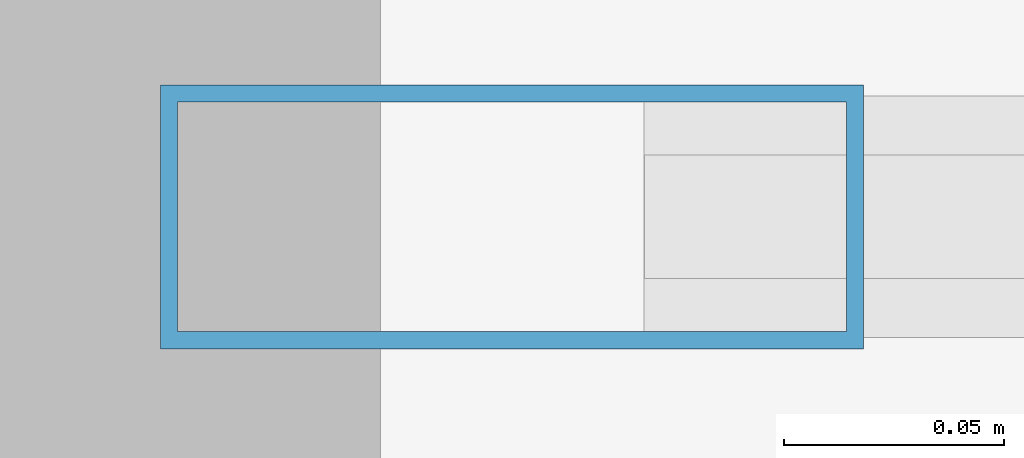
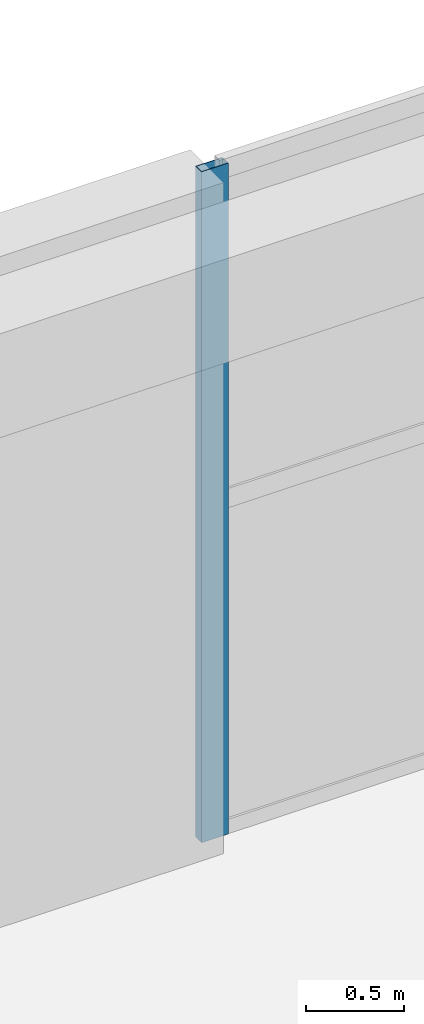
# One storey, part 17 of 33: 1 member, 1 element without a shape of its own.
"""IFC4 building model written with IfcOpenShell, lengths in metres."""

from ifc_helpers import new_model, si_unit, direction, frame, origin, origin_2d, place, context, subcontext, project, spatial, hollow_rectangle, extrude, source, transform, mapped, material, layer, layer_set, material_profile, profile_set, type_object, element, aggregate, save


model = new_model("IFC4")

# Units and contexts
model_context = context("Model", 3, precision=1e-05, world=origin(), true_north=direction((0.0, 1.0)))
body_context = subcontext(model_context, "Body", "Model", "MODEL_VIEW")
ifc_project = project(units=[si_unit("LENGTHUNIT", "METRE"), si_unit("AREAUNIT", "SQUARE_METRE"), si_unit("VOLUMEUNIT", "CUBIC_METRE"), si_unit("PLANEANGLEUNIT", "RADIAN"), si_unit("MASSUNIT", "GRAM", prefix="KILO")], contexts=[model_context])

# Site, building, storey
site_placement = place(None, origin())
site = spatial("IfcSite", under=ifc_project, at=site_placement, CompositionType="ELEMENT")
building_placement = place(site_placement, origin())
building = spatial("IfcBuilding", under=site, at=building_placement, Name="Khoralis Quay Care Tower", CompositionType="ELEMENT")
storey_placement = place(building_placement, frame((0.0, 0.0, 18.0)))
storey = spatial("IfcBuildingStorey", under=building, at=storey_placement, Name="L04", CompositionType="ELEMENT", Elevation=18.0)

# Curtain wall, member
ifc_material = material(Name="Pale anodised aluminium", Category="aluminium")
ifc_layer = layer(ifc_material, 0.14990234375)
ifc_layer_set = layer_set([ifc_layer], Name="Pale anodised aluminium")
curtain_wall_type = type_object("IfcCurtainWallType", Name="CW-SYS-SCHOOL", PredefinedType="NOTDEFINED", material=ifc_layer_set)
curtain_wall_placement = place(storey_placement, origin())
curtain_wall = element("IfcCurtainWall", 1, at=curtain_wall_placement, inside=storey, type_object=curtain_wall_type, Name="L04 Unitised Curtain Wall CW-SCH-L04-E3", PredefinedType="NOTDEFINED")
ifc_material_profile = material_profile(ifc_material, hollow_rectangle(XDim=0.06005859375, YDim=0.159912109375, WallThickness=0.00390625, at=origin_2d()), Name="Pale anodised aluminium")
ifc_profile_set = profile_set([ifc_material_profile], Name="Pale anodised aluminium")
member_type = type_object("IfcMemberType", Name="CW-MUL-160", PredefinedType="MULLION", material=ifc_profile_set)
shared_shape = source(origin(), body_context, "Body", "SweptSolid", [
    extrude(hollow_rectangle(XDim=0.06005859375, YDim=0.159912109375, WallThickness=0.00390625, at=origin_2d()), origin(), (0.0, 0.0, 1.0), 4.199951171875),
])
member_placement = place(storey_placement, frame((80.097900390625, 41.830078125, 0.0), z_axis=(0.0, 0.0, 1.0), x_axis=(0.0, -1.0, 0.0)))
member = element("IfcMember", 2, at=member_placement, type_object=member_type, Name="CW6 mullion 4", PredefinedType="MULLION", context=body_context, shape_type="MappedRepresentation", body=[
    mapped(shared_shape, transform((0.0, 0.0, 0.0), scale=1.0)),
])
aggregate(curtain_wall, [member])

save(model, "model.ifc")
